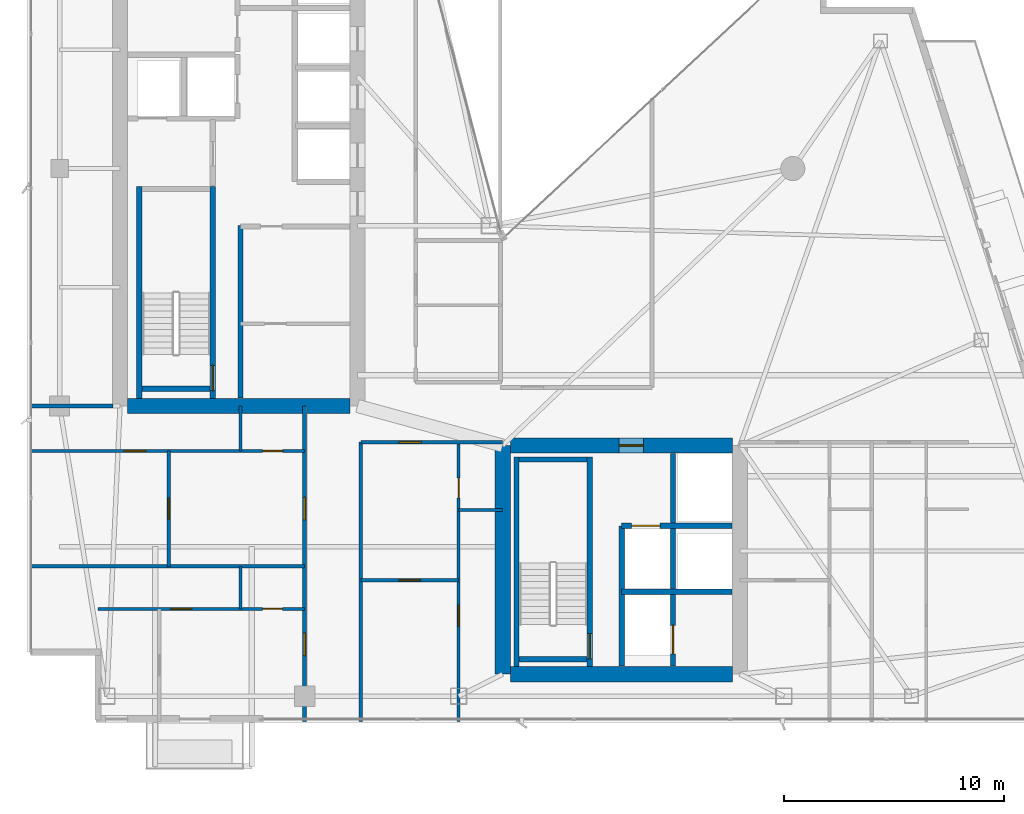
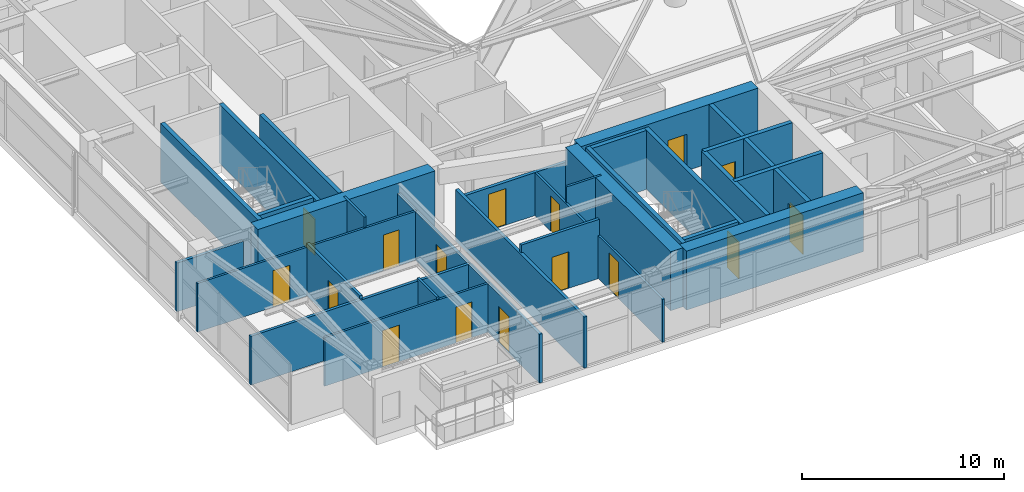
# One storey, part 22 of 28: 29 walls, 16 doors, 16 openings.
"""IFC4 building model written with IfcOpenShell, lengths in metres."""

from ifc_helpers import new_model, si_unit, direction, frame, frame_2d, origin, place, context, subcontext, project, spatial, rectangle, extrude, material, layer, layer_set, type_object, element, fill, save


model = new_model("IFC4")

# Units and contexts
model_context = context("Model", 3, precision=1e-05, world=origin(), true_north=direction((0.0, 1.0)))
body_context = subcontext(model_context, "Body", "Model", "MODEL_VIEW")
ifc_project = project(units=[si_unit("LENGTHUNIT", "METRE"), si_unit("AREAUNIT", "SQUARE_METRE"), si_unit("VOLUMEUNIT", "CUBIC_METRE"), si_unit("PLANEANGLEUNIT", "RADIAN"), si_unit("MASSUNIT", "GRAM", prefix="KILO")], contexts=[model_context])

# Site, building, storey
site_placement = place(None, origin())
site = spatial("IfcSite", under=ifc_project, at=site_placement, CompositionType="ELEMENT")
building_placement = place(site_placement, origin())
building = spatial("IfcBuilding", under=site, at=building_placement, Name="Calvorn Quay Hotel", CompositionType="ELEMENT")
storey_placement = place(building_placement, frame((0.0, 0.0, 219.300048828125)))
storey = spatial("IfcBuildingStorey", under=building, at=storey_placement, Name="L54", CompositionType="ELEMENT", Elevation=219.300048828125)

# Walls
ifc_material_1 = material(Name="Concrete C45", Category="concrete")
ifc_layer_1 = layer(ifc_material_1, 0.699951171875)
ifc_layer_set_1 = layer_set([ifc_layer_1], Name="WL-CORE-700")
wall_type_1 = type_object("IfcWallType", Name="WL-CORE-700", PredefinedType="SHEAR", material=ifc_layer_set_1)
wall_1_placement = place(storey_placement, frame((4.550048828125, 16.800048828125, 0.0), z_axis=(0.0, 0.0, 1.0), x_axis=(1.0, 0.0, 0.0)))
element("IfcWall", 1, at=wall_1_placement, inside=storey, type_object=wall_type_1, Name="West Core Shear Wall S (L54)", PredefinedType="SHEAR", context=body_context, shape_type="SweptSolid", body=[
    extrude(rectangle(XDim=10.099853515625, YDim=0.699951171875, at=frame_2d((5.0498046875, 0.0))), origin(), (0.0, 0.0, 1.0), 3.56005859375),
])
wall_2_placement = place(storey_placement, frame((21.60009765625, 4.60009765625, 0.0), z_axis=(0.0, 0.0, 1.0), x_axis=(0.0, 1.0, 0.0)))
element("IfcWall", 2, at=wall_2_placement, inside=storey, type_object=wall_type_1, Name="East Core Shear Wall W (L54)", PredefinedType="SHEAR", context=body_context, shape_type="SweptSolid", body=[
    extrude(rectangle(XDim=10.39990234375, YDim=0.699951171875, at=frame_2d((5.199951171875, 0.0))), origin(), (0.0, 0.0, 1.0), 3.56005859375),
])

# Wall, opening, door
wall_3_placement = place(storey_placement, frame((21.949951171875, 15.0, 0.0), z_axis=(0.0, 0.0, 1.0), x_axis=(1.0, 0.0, 0.0)))
wall_3 = element("IfcWall", 3, at=wall_3_placement, inside=storey, type_object=wall_type_1, Name="East Core Shear Wall N (L54)", PredefinedType="SHEAR", context=body_context, shape_type="SweptSolid", body=[
    extrude(rectangle(XDim=10.10009765625, YDim=0.699951171875, at=frame_2d((5.050048828125, 0.0))), origin(), (0.0, 0.0, 1.0), 3.56005859375),
])
opening_1_placement = place(wall_3_placement, frame((4.949951171875, 0.0, 0.0)))
opening_1 = element("IfcOpeningElement", 4, at=opening_1_placement, cuts=wall_3, Name="Opening D-L54-FLE", PredefinedType="OPENING", context=body_context, shape_type="SweptSolid", body=[
    extrude(rectangle(XDim=1.10009765625, YDim=2.199951171875, at=frame_2d((0.550048828125, 1.10009765625))), frame((0.0, 0.35986328125, 0.0), z_axis=(0.0, -1.0, 0.0), x_axis=(1.0, 0.0, 0.0)), (0.0, 0.0, 1.0), 0.719970703125),
])
ifc_material_2 = material(Name="Smoke-Sealed Steel Class A Fire Door", Category="steel")
door_type_1 = type_object("IfcDoorType", Name="DR-FFLOBBY-1100", OperationType="NOTDEFINED", PredefinedType="DOOR", material=ifc_material_2)
door_1_placement = place(opening_1_placement, origin())
door_1 = element("IfcDoor", 5, at=door_1_placement, inside=storey, type_object=door_type_1, Name="East Firefighting Lobby Fire Door (L54)", OperationType="SINGLE_SWING_RIGHT", OverallHeight=2.199951171875, OverallWidth=1.10009765625, PredefinedType="DOOR", context=body_context, shape_type="SweptSolid", body=[
    extrude(rectangle(XDim=1.10009765625, YDim=2.199951171875, at=frame_2d((0.550048828125, 1.10009765625))), frame((0.0, 0.02490234375, 0.0), z_axis=(0.0, -1.0, 0.0), x_axis=(1.0, 0.0, 0.0)), (0.0, 0.0, 1.0), 0.050048828125),
])
fill(opening_1, door_1)

# Walls
wall_4_placement = place(storey_placement, frame((21.949951171875, 4.60009765625, 0.0), z_axis=(0.0, 0.0, 1.0), x_axis=(1.0, 0.0, 0.0)))
element("IfcWall", 6, at=wall_4_placement, inside=storey, type_object=wall_type_1, Name="East Core Shear Wall S (L54)", PredefinedType="SHEAR", context=body_context, shape_type="SweptSolid", body=[
    extrude(rectangle(XDim=10.10009765625, YDim=0.699951171875, at=frame_2d((5.050048828125, 0.0))), origin(), (0.0, 0.0, 1.0), 3.56005859375),
])
ifc_material_3 = material(Name="Acoustic Fireboard Steel-Stud Partition", Category="steel")
ifc_layer_2 = layer(ifc_material_3, 0.179931640625)
ifc_layer_set_2 = layer_set([ifc_layer_2], Name="WL-CORR-FIRE-180")
wall_type_2 = type_object("IfcWallType", Name="WL-CORR-FIRE-180", PredefinedType="PARTITIONING", material=ifc_layer_set_2)
wall_5_placement = place(storey_placement, frame((0.080078125, 16.800048828125, 0.0), z_axis=(0.0, 0.0, 1.0), x_axis=(1.0, 0.0, 0.0)))
element("IfcWall", 7, at=wall_5_placement, inside=storey, type_object=wall_type_2, Name="Partition Wall L54-WL-WBAY-S-WALL", PredefinedType="PARTITIONING", context=body_context, shape_type="SweptSolid", body=[
    extrude(rectangle(XDim=3.7998046875, YDim=0.179931640625, at=frame_2d((1.89990234375, 0.0))), origin(), (0.0, 0.0, 1.0), 2.93994140625),
])

# Wall, openings, doors
wall_6_placement = place(storey_placement, frame((12.60009765625, 2.43994140625, 0.0), z_axis=(0.0, 0.0, 1.0), x_axis=(0.0, 1.0, 0.0)))
wall_6 = element("IfcWall", 8, at=wall_6_placement, inside=storey, type_object=wall_type_2, Name="Partition Wall L54-WL-CORR-SW-LEG-W", PredefinedType="PARTITIONING", context=body_context, shape_type="SweptSolid", body=[
    extrude(rectangle(XDim=14.360107421875, YDim=0.179931640625, at=frame_2d((7.18017578125, 0.0))), origin(), (0.0, 0.0, 1.0), 2.93994140625),
])
opening_2_placement = place(wall_6_placement, frame((3.010009765625, 0.0, 0.0)))
opening_2 = element("IfcOpeningElement", 9, at=opening_2_placement, cuts=wall_6, Name="Opening D-L54-U01", PredefinedType="OPENING", context=body_context, shape_type="SweptSolid", body=[
    extrude(rectangle(XDim=1.02001953125, YDim=2.199951171875, at=frame_2d((0.510009765625, 1.10009765625))), frame((0.0, 0.099853515625, 0.0), z_axis=(0.0, -1.0, 0.0), x_axis=(1.0, 0.0, 0.0)), (0.0, 0.0, 1.0), 0.199951171875),
])
opening_3_placement = place(wall_6_placement, frame((9.179931640625, 0.0, 0.0)))
opening_3 = element("IfcOpeningElement", 10, at=opening_3_placement, cuts=wall_6, Name="Opening D-L54-U02", PredefinedType="OPENING", context=body_context, shape_type="SweptSolid", body=[
    extrude(rectangle(XDim=1.02001953125, YDim=2.199951171875, at=frame_2d((0.510009765625, 1.10009765625))), frame((0.0, 0.099853515625, 0.0), z_axis=(0.0, -1.0, 0.0), x_axis=(1.0, 0.0, 0.0)), (0.0, 0.0, 1.0), 0.199951171875),
])
ifc_material_4 = material(Name="Solid-Core Walnut Veneer Hotel Fire Door")
door_type_2 = type_object("IfcDoorType", Name="DR-GUEST-ENTRY-1020", OperationType="NOTDEFINED", PredefinedType="DOOR", material=ifc_material_4)
door_2_placement = place(opening_2_placement, origin())
door_2 = element("IfcDoor", 11, at=door_2_placement, inside=storey, type_object=door_type_2, Name="South-West Unit Door U01 (L54)", OperationType="SINGLE_SWING_LEFT", OverallHeight=2.199951171875, OverallWidth=1.02001953125, PredefinedType="DOOR", context=body_context, shape_type="SweptSolid", body=[
    extrude(rectangle(XDim=1.02001953125, YDim=2.199951171875, at=frame_2d((0.510009765625, 1.10009765625))), frame((0.0, 0.02490234375, 0.0), z_axis=(0.0, -1.0, 0.0), x_axis=(1.0, 0.0, 0.0)), (0.0, 0.0, 1.0), 0.050048828125),
])
fill(opening_2, door_2)
door_3_placement = place(opening_3_placement, origin())
door_3 = element("IfcDoor", 12, at=door_3_placement, inside=storey, type_object=door_type_2, Name="South-West Unit Door U02 (L54)", OperationType="SINGLE_SWING_RIGHT", OverallHeight=2.199951171875, OverallWidth=1.02001953125, PredefinedType="DOOR", context=body_context, shape_type="SweptSolid", body=[
    extrude(rectangle(XDim=1.02001953125, YDim=2.199951171875, at=frame_2d((0.510009765625, 1.10009765625))), frame((0.0, 0.02490234375, 0.0), z_axis=(0.0, -1.0, 0.0), x_axis=(1.0, 0.0, 0.0)), (0.0, 0.0, 1.0), 0.050048828125),
])
fill(opening_3, door_3)

# Wall
wall_7_placement = place(storey_placement, frame((15.14990234375, 2.43994140625, 0.0), z_axis=(0.0, 0.0, 1.0), x_axis=(0.0, 1.0, 0.0)))
element("IfcWall", 13, at=wall_7_placement, inside=storey, type_object=wall_type_2, Name="Partition Wall L54-WL-CORR-SW-W", PredefinedType="PARTITIONING", context=body_context, shape_type="SweptSolid", body=[
    extrude(rectangle(XDim=12.7099609375, YDim=0.179931640625, at=frame_2d((6.35498046875, 0.0))), origin(), (0.0, 0.0, 1.0), 3.08984375),
])

# Wall, opening, door
wall_8_placement = place(storey_placement, frame((15.14990234375, 15.14990234375, 0.0), z_axis=(0.0, 0.0, 1.0), x_axis=(1.0, 0.0, 0.0)))
wall_8 = element("IfcWall", 14, at=wall_8_placement, inside=storey, type_object=wall_type_2, Name="Partition Wall L54-WL-SC-CORR-S", PredefinedType="PARTITIONING", context=body_context, shape_type="SweptSolid", body=[
    extrude(rectangle(XDim=6.4501953125, YDim=0.179931640625, at=frame_2d((3.22509765625, 0.0))), origin(), (0.0, 0.0, 1.0), 2.58984375),
])
opening_4_placement = place(wall_8_placement, frame((1.739990234375, 0.0, 0.0)))
opening_4 = element("IfcOpeningElement", 15, at=opening_4_placement, cuts=wall_8, Name="Opening D-L54-U03", PredefinedType="OPENING", context=body_context, shape_type="SweptSolid", body=[
    extrude(rectangle(XDim=1.02001953125, YDim=2.199951171875, at=frame_2d((0.510009765625, 1.10009765625))), frame((0.0, 0.099853515625, 0.0), z_axis=(0.0, -1.0, 0.0), x_axis=(1.0, 0.0, 0.0)), (0.0, 0.0, 1.0), 0.199951171875),
])
door_4_placement = place(opening_4_placement, origin())
door_4 = element("IfcDoor", 16, at=door_4_placement, inside=storey, type_object=door_type_2, Name="Harbour Central Unit Door (L54)", OperationType="SINGLE_SWING_LEFT", OverallHeight=2.199951171875, OverallWidth=1.02001953125, PredefinedType="DOOR", context=body_context, shape_type="SweptSolid", body=[
    extrude(rectangle(XDim=1.02001953125, YDim=2.199951171875, at=frame_2d((0.510009765625, 1.10009765625))), frame((0.0, 0.02490234375, 0.0), z_axis=(0.0, -1.0, 0.0), x_axis=(1.0, 0.0, 0.0)), (0.0, 0.0, 1.0), 0.050048828125),
])
fill(opening_4, door_4)

# Wall
ifc_material_5 = material(Name="Moisture-Resistant Tile-Backed Partition")
ifc_layer_3 = layer(ifc_material_5, 0.125)
ifc_layer_set_3 = layer_set([ifc_layer_3], Name="WL-ENSUITE-125")
wall_type_3 = type_object("IfcWallType", Name="WL-ENSUITE-125", PredefinedType="PARTITIONING", material=ifc_layer_set_3)
wall_9_placement = place(storey_placement, frame((9.679931640625, 7.570068359375, 0.0), z_axis=(0.0, 0.0, 1.0), x_axis=(0.0, 1.0, 0.0)))
element("IfcWall", 17, at=wall_9_placement, inside=storey, type_object=wall_type_3, Name="Partition Wall L54-WL-U01-BDV", PredefinedType="PARTITIONING", context=body_context, shape_type="SweptSolid", body=[
    extrude(rectangle(XDim=1.929931640625, YDim=0.125, at=frame_2d((0.96484375, 0.0))), origin(), (0.0, 0.0, 1.0), 3.08984375),
])

# Wall, openings, doors
wall_10_placement = place(storey_placement, frame((3.199951171875, 7.570068359375, 0.0), z_axis=(0.0, 0.0, 1.0), x_axis=(1.0, 0.0, 0.0)))
wall_10 = element("IfcWall", 18, at=wall_10_placement, inside=storey, type_object=wall_type_3, Name="Partition Wall L54-WL-U01-BH", PredefinedType="PARTITIONING", context=body_context, shape_type="SweptSolid", body=[
    extrude(rectangle(XDim=9.400146484375, YDim=0.125, at=frame_2d((4.7001953125, 0.0))), origin(), (0.0, 0.0, 1.0), 2.93994140625),
])
opening_5_placement = place(wall_10_placement, frame((3.300048828125, 0.0, 0.0)))
opening_5 = element("IfcOpeningElement", 19, at=opening_5_placement, cuts=wall_10, Name="Opening D-L54-S01", PredefinedType="OPENING", context=body_context, shape_type="SweptSolid", body=[
    extrude(rectangle(XDim=0.9599609375, YDim=2.199951171875, at=frame_2d((0.47998046875, 1.10009765625))), frame((0.0, 0.072509765625, 0.0), z_axis=(0.0, -1.0, 0.0), x_axis=(1.0, 0.0, 0.0)), (0.0, 0.0, 1.0), 0.14501953125),
])
opening_6_placement = place(wall_10_placement, frame((7.489990234375, 0.0, 0.0)))
opening_6 = element("IfcOpeningElement", 20, at=opening_6_placement, cuts=wall_10, Name="Opening D-L54-E01", PredefinedType="OPENING", context=body_context, shape_type="SweptSolid", body=[
    extrude(rectangle(XDim=0.89990234375, YDim=2.14990234375, at=frame_2d((0.449951171875, 1.074951171875))), frame((0.0, 0.072509765625, 0.0), z_axis=(0.0, -1.0, 0.0), x_axis=(1.0, 0.0, 0.0)), (0.0, 0.0, 1.0), 0.14501953125),
])
ifc_material_6 = material(Name="Moisture-Sealed Timber En-Suite Door", Category="wood")
door_type_3 = type_object("IfcDoorType", Name="DR-ENSUITE-900", OperationType="NOTDEFINED", PredefinedType="DOOR", material=ifc_material_6)
door_5_placement = place(opening_6_placement, origin())
door_5 = element("IfcDoor", 21, at=door_5_placement, inside=storey, type_object=door_type_3, Name="En-Suite Door 01", OperationType="SINGLE_SWING_RIGHT", OverallHeight=2.14990234375, OverallWidth=0.89990234375, PredefinedType="DOOR", context=body_context, shape_type="SweptSolid", body=[
    extrude(rectangle(XDim=0.89990234375, YDim=2.14990234375, at=frame_2d((0.449951171875, 1.074951171875))), frame((0.0, 0.02490234375, 0.0), z_axis=(0.0, -1.0, 0.0), x_axis=(1.0, 0.0, 0.0)), (0.0, 0.0, 1.0), 0.050048828125),
])
fill(opening_6, door_5)
ifc_material_7 = material(Name="Solid Timber Internal Suite Door", Category="wood")
door_type_4 = type_object("IfcDoorType", Name="DR-SUITE-INT-960", OperationType="NOTDEFINED", PredefinedType="DOOR", material=ifc_material_7)
door_6_placement = place(opening_5_placement, origin())
door_6 = element("IfcDoor", 22, at=door_6_placement, inside=storey, type_object=door_type_4, Name="Executive Work Office Door 01", OperationType="SINGLE_SWING_LEFT", OverallHeight=2.199951171875, OverallWidth=0.9599609375, PredefinedType="DOOR", context=body_context, shape_type="SweptSolid", body=[
    extrude(rectangle(XDim=0.9599609375, YDim=2.199951171875, at=frame_2d((0.47998046875, 1.10009765625))), frame((0.0, 0.02490234375, 0.0), z_axis=(0.0, -1.0, 0.0), x_axis=(1.0, 0.0, 0.0)), (0.0, 0.0, 1.0), 0.050048828125),
])
fill(opening_5, door_6)

# Wall
wall_11_placement = place(storey_placement, frame((9.679931640625, 14.75, 0.0), z_axis=(0.0, 0.0, 1.0), x_axis=(0.0, 1.0, 0.0)))
element("IfcWall", 23, at=wall_11_placement, inside=storey, type_object=wall_type_3, Name="Partition Wall L54-WL-U02-BDV", PredefinedType="PARTITIONING", context=body_context, shape_type="SweptSolid", body=[
    extrude(rectangle(XDim=2.050048828125, YDim=0.125, at=frame_2d((1.02490234375, 0.0))), origin(), (0.0, 0.0, 1.0), 3.56005859375),
])

# Wall, openings, doors
wall_12_placement = place(storey_placement, frame((0.080078125, 14.75, 0.0), z_axis=(0.0, 0.0, 1.0), x_axis=(1.0, 0.0, 0.0)))
wall_12 = element("IfcWall", 24, at=wall_12_placement, inside=storey, type_object=wall_type_3, Name="Partition Wall L54-WL-U02-BH", PredefinedType="PARTITIONING", context=body_context, shape_type="SweptSolid", body=[
    extrude(rectangle(XDim=12.52001953125, YDim=0.125, at=frame_2d((6.260009765625, 0.0))), origin(), (0.0, 0.0, 1.0), 2.93994140625),
])
opening_7_placement = place(wall_12_placement, frame((4.320068359375, 0.0, 0.0)))
opening_7 = element("IfcOpeningElement", 25, at=opening_7_placement, cuts=wall_12, Name="Opening D-L54-S02", PredefinedType="OPENING", context=body_context, shape_type="SweptSolid", body=[
    extrude(rectangle(XDim=0.9599609375, YDim=2.199951171875, at=frame_2d((0.47998046875, 1.10009765625))), frame((0.0, 0.072509765625, 0.0), z_axis=(0.0, -1.0, 0.0), x_axis=(1.0, 0.0, 0.0)), (0.0, 0.0, 1.0), 0.14501953125),
])
opening_8_placement = place(wall_12_placement, frame((10.610107421875, 0.0, 0.0)))
opening_8 = element("IfcOpeningElement", 26, at=opening_8_placement, cuts=wall_12, Name="Opening D-L54-E02", PredefinedType="OPENING", context=body_context, shape_type="SweptSolid", body=[
    extrude(rectangle(XDim=0.89990234375, YDim=2.14990234375, at=frame_2d((0.449951171875, 1.074951171875))), frame((0.0, 0.072509765625, 0.0), z_axis=(0.0, -1.0, 0.0), x_axis=(1.0, 0.0, 0.0)), (0.0, 0.0, 1.0), 0.14501953125),
])
door_7_placement = place(opening_8_placement, origin())
door_7 = element("IfcDoor", 27, at=door_7_placement, inside=storey, type_object=door_type_3, Name="En-Suite Door 02", OperationType="SINGLE_SWING_RIGHT", OverallHeight=2.14990234375, OverallWidth=0.89990234375, PredefinedType="DOOR", context=body_context, shape_type="SweptSolid", body=[
    extrude(rectangle(XDim=0.89990234375, YDim=2.14990234375, at=frame_2d((0.449951171875, 1.074951171875))), frame((0.0, 0.02490234375, 0.0), z_axis=(0.0, -1.0, 0.0), x_axis=(1.0, 0.0, 0.0)), (0.0, 0.0, 1.0), 0.050048828125),
])
fill(opening_8, door_7)
door_8_placement = place(opening_7_placement, origin())
door_8 = element("IfcDoor", 28, at=door_8_placement, inside=storey, type_object=door_type_4, Name="Executive Work Office Door 02", OperationType="SINGLE_SWING_LEFT", OverallHeight=2.199951171875, OverallWidth=0.9599609375, PredefinedType="DOOR", context=body_context, shape_type="SweptSolid", body=[
    extrude(rectangle(XDim=0.9599609375, YDim=2.199951171875, at=frame_2d((0.47998046875, 1.10009765625))), frame((0.0, 0.02490234375, 0.0), z_axis=(0.0, -1.0, 0.0), x_axis=(1.0, 0.0, 0.0)), (0.0, 0.0, 1.0), 0.050048828125),
])
fill(opening_7, door_8)

# Wall
wall_13_placement = place(storey_placement, frame((19.60009765625, 12.070068359375, 0.0), z_axis=(0.0, 0.0, 1.0), x_axis=(1.0, 0.0, 0.0)))
element("IfcWall", 29, at=wall_13_placement, inside=storey, type_object=wall_type_3, Name="Partition Wall L54-WL-U03-BDV", PredefinedType="PARTITIONING", context=body_context, shape_type="SweptSolid", body=[
    extrude(rectangle(XDim=2.0, YDim=0.125, at=frame_2d((1.0, 0.0))), origin(), (0.0, 0.0, 1.0), 3.56005859375),
])

# Wall, openings, doors
wall_14_placement = place(storey_placement, frame((19.60009765625, 2.43994140625, 0.0), z_axis=(0.0, 0.0, 1.0), x_axis=(0.0, 1.0, 0.0)))
wall_14 = element("IfcWall", 30, at=wall_14_placement, inside=storey, type_object=wall_type_3, Name="Partition Wall L54-WL-U03-BV", PredefinedType="PARTITIONING", context=body_context, shape_type="SweptSolid", body=[
    extrude(rectangle(XDim=12.7099609375, YDim=0.125, at=frame_2d((6.35498046875, 0.0))), origin(), (0.0, 0.0, 1.0), 2.58984375),
])
opening_9_placement = place(wall_14_placement, frame((4.340087890625, 0.0, 0.0)))
opening_9 = element("IfcOpeningElement", 31, at=opening_9_placement, cuts=wall_14, Name="Opening D-L54-S03", PredefinedType="OPENING", context=body_context, shape_type="SweptSolid", body=[
    extrude(rectangle(XDim=0.9599609375, YDim=2.199951171875, at=frame_2d((0.47998046875, 1.10009765625))), frame((0.0, 0.072509765625, 0.0), z_axis=(0.0, -1.0, 0.0), x_axis=(1.0, 0.0, 0.0)), (0.0, 0.0, 1.0), 0.14501953125),
])
opening_10_placement = place(wall_14_placement, frame((10.179931640625, 0.0, 0.0)))
opening_10 = element("IfcOpeningElement", 32, at=opening_10_placement, cuts=wall_14, Name="Opening D-L54-E03", PredefinedType="OPENING", context=body_context, shape_type="SweptSolid", body=[
    extrude(rectangle(XDim=0.89990234375, YDim=2.14990234375, at=frame_2d((0.449951171875, 1.074951171875))), frame((0.0, 0.072509765625, 0.0), z_axis=(0.0, -1.0, 0.0), x_axis=(1.0, 0.0, 0.0)), (0.0, 0.0, 1.0), 0.14501953125),
])
door_9_placement = place(opening_10_placement, origin())
door_9 = element("IfcDoor", 33, at=door_9_placement, inside=storey, type_object=door_type_3, Name="En-Suite Door 03", OperationType="SINGLE_SWING_RIGHT", OverallHeight=2.14990234375, OverallWidth=0.89990234375, PredefinedType="DOOR", context=body_context, shape_type="SweptSolid", body=[
    extrude(rectangle(XDim=0.89990234375, YDim=2.14990234375, at=frame_2d((0.449951171875, 1.074951171875))), frame((0.0, 0.02490234375, 0.0), z_axis=(0.0, -1.0, 0.0), x_axis=(1.0, 0.0, 0.0)), (0.0, 0.0, 1.0), 0.050048828125),
])
fill(opening_10, door_9)
door_10_placement = place(opening_9_placement, origin())
door_10 = element("IfcDoor", 34, at=door_10_placement, inside=storey, type_object=door_type_4, Name="Executive Work Office Door 03", OperationType="SINGLE_SWING_LEFT", OverallHeight=2.199951171875, OverallWidth=0.9599609375, PredefinedType="DOOR", context=body_context, shape_type="SweptSolid", body=[
    extrude(rectangle(XDim=0.9599609375, YDim=2.199951171875, at=frame_2d((0.47998046875, 1.10009765625))), frame((0.0, 0.02490234375, 0.0), z_axis=(0.0, -1.0, 0.0), x_axis=(1.0, 0.0, 0.0)), (0.0, 0.0, 1.0), 0.050048828125),
])
fill(opening_9, door_10)

# Wall, opening, door
ifc_material_8 = material(Name="Double-Stud Acoustic Gypsum Partition")
ifc_layer_4 = layer(ifc_material_8, 0.159912109375)
ifc_layer_set_4 = layer_set([ifc_layer_4], Name="WL-INTERSUITE-160")
wall_type_4 = type_object("IfcWallType", Name="WL-INTERSUITE-160", PredefinedType="PARTITIONING", material=ifc_layer_set_4)
wall_15_placement = place(storey_placement, frame((6.419921875, 9.5, 0.0), z_axis=(0.0, 0.0, 1.0), x_axis=(0.0, 1.0, 0.0)))
wall_15 = element("IfcWall", 35, at=wall_15_placement, inside=storey, type_object=wall_type_4, Name="Partition Wall L54-WL-U02-MSP", PredefinedType="PARTITIONING", context=body_context, shape_type="SweptSolid", body=[
    extrude(rectangle(XDim=5.25, YDim=0.159912109375, at=frame_2d((2.625, 0.0))), origin(), (0.0, 0.0, 1.0), 3.139892578125),
])
opening_11_placement = place(wall_15_placement, frame((2.14990234375, 0.0, 0.0)))
opening_11 = element("IfcOpeningElement", 36, at=opening_11_placement, cuts=wall_15, Name="Opening D-L54-M02", PredefinedType="OPENING", context=body_context, shape_type="SweptSolid", body=[
    extrude(rectangle(XDim=0.9599609375, YDim=2.199951171875, at=frame_2d((0.47998046875, 1.10009765625))), frame((0.0, 0.08984375, 0.0), z_axis=(0.0, -1.0, 0.0), x_axis=(1.0, 0.0, 0.0)), (0.0, 0.0, 1.0), 0.179931640625),
])
door_11_placement = place(opening_11_placement, origin())
door_11 = element("IfcDoor", 37, at=door_11_placement, inside=storey, type_object=door_type_4, Name="Suite Bedroom Door 02", OperationType="SINGLE_SWING_LEFT", OverallHeight=2.199951171875, OverallWidth=0.9599609375, PredefinedType="DOOR", context=body_context, shape_type="SweptSolid", body=[
    extrude(rectangle(XDim=0.9599609375, YDim=2.199951171875, at=frame_2d((0.47998046875, 1.10009765625))), frame((0.0, 0.02490234375, 0.0), z_axis=(0.0, -1.0, 0.0), x_axis=(1.0, 0.0, 0.0)), (0.0, 0.0, 1.0), 0.050048828125),
])
fill(opening_11, door_11)

# Wall
wall_16_placement = place(storey_placement, frame((0.080078125, 9.5, 0.0), z_axis=(0.0, 0.0, 1.0), x_axis=(1.0, 0.0, 0.0)))
element("IfcWall", 38, at=wall_16_placement, inside=storey, type_object=wall_type_4, Name="Partition Wall L54-WL-SW-DIV-1", PredefinedType="PARTITIONING", context=body_context, shape_type="SweptSolid", body=[
    extrude(rectangle(XDim=12.52001953125, YDim=0.159912109375, at=frame_2d((6.260009765625, 0.0))), origin(), (0.0, 0.0, 1.0), 2.93994140625),
])

# Wall, opening, door
wall_17_placement = place(storey_placement, frame((15.14990234375, 8.8701171875, 0.0), z_axis=(0.0, 0.0, 1.0), x_axis=(1.0, 0.0, 0.0)))
wall_17 = element("IfcWall", 39, at=wall_17_placement, inside=storey, type_object=wall_type_4, Name="Partition Wall L54-WL-U03-MSP", PredefinedType="PARTITIONING", context=body_context, shape_type="SweptSolid", body=[
    extrude(rectangle(XDim=4.4501953125, YDim=0.159912109375, at=frame_2d((2.22509765625, 0.0))), origin(), (0.0, 0.0, 1.0), 3.56005859375),
])
opening_12_placement = place(wall_17_placement, frame((1.75, 0.0, 0.0)))
opening_12 = element("IfcOpeningElement", 40, at=opening_12_placement, cuts=wall_17, Name="Opening D-L54-M03", PredefinedType="OPENING", context=body_context, shape_type="SweptSolid", body=[
    extrude(rectangle(XDim=0.9599609375, YDim=2.199951171875, at=frame_2d((0.47998046875, 1.10009765625))), frame((0.0, 0.08984375, 0.0), z_axis=(0.0, -1.0, 0.0), x_axis=(1.0, 0.0, 0.0)), (0.0, 0.0, 1.0), 0.179931640625),
])
door_12_placement = place(opening_12_placement, origin())
door_12 = element("IfcDoor", 41, at=door_12_placement, inside=storey, type_object=door_type_4, Name="Suite Bedroom Door 03", OperationType="SINGLE_SWING_LEFT", OverallHeight=2.199951171875, OverallWidth=0.9599609375, PredefinedType="DOOR", context=body_context, shape_type="SweptSolid", body=[
    extrude(rectangle(XDim=0.9599609375, YDim=2.199951171875, at=frame_2d((0.47998046875, 1.10009765625))), frame((0.0, 0.02490234375, 0.0), z_axis=(0.0, -1.0, 0.0), x_axis=(1.0, 0.0, 0.0)), (0.0, 0.0, 1.0), 0.050048828125),
])
fill(opening_12, door_12)

# Walls
ifc_material_9 = material(Name="Autoclaved Aerated Masonry Block", Category="masonry")
ifc_layer_5 = layer(ifc_material_9, 0.219970703125)
ifc_layer_set_5 = layer_set([ifc_layer_5], Name="WL-LOBBY-FIRE-220")
wall_type_5 = type_object("IfcWallType", Name="WL-LOBBY-FIRE-220", PredefinedType="SOLIDWALL", material=ifc_layer_set_5)
wall_18_placement = place(storey_placement, frame((9.679931640625, 17.169921875, 0.0), z_axis=(0.0, 0.0, 1.0), x_axis=(0.0, 1.0, 0.0)))
element("IfcWall", 42, at=wall_18_placement, inside=storey, type_object=wall_type_5, Name="Partition Wall L54-WL-CWW-STW-HALL-E", PredefinedType="SOLIDWALL", context=body_context, shape_type="SweptSolid", body=[
    extrude(rectangle(XDim=7.830078125, YDim=0.219970703125, at=frame_2d((3.9150390625, 0.0))), origin(), (0.0, 0.0, 1.0), 3.56005859375),
])
ifc_material_10 = material(Name="Concrete C40", Category="concrete")
ifc_layer_6 = layer(ifc_material_10, 0.239990234375)
ifc_layer_set_6 = layer_set([ifc_layer_6], Name="WL-SHAFT-240")
wall_type_6 = type_object("IfcWallType", Name="WL-SHAFT-240", PredefinedType="SOLIDWALL", material=ifc_layer_set_6)
wall_19_placement = place(storey_placement, frame((5.080078125, 17.14990234375, 0.0), z_axis=(0.0, 0.0, 1.0), x_axis=(0.0, 1.0, 0.0)))
element("IfcWall", 43, at=wall_19_placement, inside=storey, type_object=wall_type_6, Name="Stair STW Shaft Wall W (L54)", PredefinedType="SOLIDWALL", context=body_context, shape_type="SweptSolid", body=[
    extrude(rectangle(XDim=9.64013671875, YDim=0.239990234375, at=frame_2d((4.820068359375, 0.0))), origin(), (0.0, 0.0, 1.0), 3.56005859375),
])

# Wall, opening, door
wall_20_placement = place(storey_placement, frame((8.419921875, 17.14990234375, 0.0), z_axis=(0.0, 0.0, 1.0), x_axis=(0.0, 1.0, 0.0)))
wall_20 = element("IfcWall", 44, at=wall_20_placement, inside=storey, type_object=wall_type_6, Name="Stair STW Shaft Wall E (L54)", PredefinedType="SOLIDWALL", context=body_context, shape_type="SweptSolid", body=[
    extrude(rectangle(XDim=9.64013671875, YDim=0.239990234375, at=frame_2d((4.820068359375, 0.0))), origin(), (0.0, 0.0, 1.0), 3.56005859375),
])
opening_13_placement = place(wall_20_placement, frame((0.35009765625, 0.0, 0.0)))
opening_13 = element("IfcOpeningElement", 45, at=opening_13_placement, cuts=wall_20, Name="Opening D-L54-STW", PredefinedType="OPENING", context=body_context, shape_type="SweptSolid", body=[
    extrude(rectangle(XDim=1.14990234375, YDim=2.199951171875, at=frame_2d((0.574951171875, 1.10009765625))), frame((0.0, 0.1298828125, 0.0), z_axis=(0.0, -1.0, 0.0), x_axis=(1.0, 0.0, 0.0)), (0.0, 0.0, 1.0), 0.260009765625),
])
ifc_material_11 = material(Name="Galvanised Steel Class A Fire Door", Category="steel")
door_type_5 = type_object("IfcDoorType", Name="DR-STAIR-SMOKE-1150", OperationType="NOTDEFINED", PredefinedType="DOOR", material=ifc_material_11)
door_13_placement = place(opening_13_placement, origin())
door_13 = element("IfcDoor", 46, at=door_13_placement, inside=storey, type_object=door_type_5, Name="Stair ST-W Fire Door (L54)", OperationType="SINGLE_SWING_LEFT", OverallHeight=2.199951171875, OverallWidth=1.14990234375, PredefinedType="DOOR", context=body_context, shape_type="SweptSolid", body=[
    extrude(rectangle(XDim=1.14990234375, YDim=2.199951171875, at=frame_2d((0.574951171875, 1.10009765625))), frame((0.0, 0.02490234375, 0.0), z_axis=(0.0, -1.0, 0.0), x_axis=(1.0, 0.0, 0.0)), (0.0, 0.0, 1.0), 0.050048828125),
])
fill(opening_13, door_13)

# Walls
wall_21_placement = place(storey_placement, frame((5.199951171875, 17.580078125, 0.0), z_axis=(0.0, 0.0, 1.0), x_axis=(1.0, 0.0, 0.0)))
element("IfcWall", 47, at=wall_21_placement, inside=storey, type_object=wall_type_6, Name="Stair STW Shaft Wall S (L54)", PredefinedType="SOLIDWALL", context=body_context, shape_type="SweptSolid", body=[
    extrude(rectangle(XDim=3.10009765625, YDim=0.239990234375, at=frame_2d((1.550048828125, 0.0))), origin(), (0.0, 0.0, 1.0), 3.56005859375),
])
wall_22_placement = place(storey_placement, frame((22.22998046875, 4.949951171875, 0.0), z_axis=(0.0, 0.0, 1.0), x_axis=(0.0, 1.0, 0.0)))
element("IfcWall", 48, at=wall_22_placement, inside=storey, type_object=wall_type_6, Name="Stair STE Shaft Wall W (L54)", PredefinedType="SOLIDWALL", context=body_context, shape_type="SweptSolid", body=[
    extrude(rectangle(XDim=9.5400390625, YDim=0.239990234375, at=frame_2d((4.77001953125, 0.0))), origin(), (0.0, 0.0, 1.0), 3.56005859375),
])

# Wall, opening, door
wall_23_placement = place(storey_placement, frame((25.570068359375, 4.949951171875, 0.0), z_axis=(0.0, 0.0, 1.0), x_axis=(0.0, 1.0, 0.0)))
wall_23 = element("IfcWall", 49, at=wall_23_placement, inside=storey, type_object=wall_type_6, Name="Stair STE Shaft Wall E (L54)", PredefinedType="SOLIDWALL", context=body_context, shape_type="SweptSolid", body=[
    extrude(rectangle(XDim=9.5400390625, YDim=0.239990234375, at=frame_2d((4.77001953125, 0.0))), origin(), (0.0, 0.0, 1.0), 3.56005859375),
])
opening_14_placement = place(wall_23_placement, frame((0.35009765625, 0.0, 0.0)))
opening_14 = element("IfcOpeningElement", 50, at=opening_14_placement, cuts=wall_23, Name="Opening D-L54-STE", PredefinedType="OPENING", context=body_context, shape_type="SweptSolid", body=[
    extrude(rectangle(XDim=1.14990234375, YDim=2.199951171875, at=frame_2d((0.574951171875, 1.10009765625))), frame((0.0, 0.1298828125, 0.0), z_axis=(0.0, -1.0, 0.0), x_axis=(1.0, 0.0, 0.0)), (0.0, 0.0, 1.0), 0.260009765625),
])
door_14_placement = place(opening_14_placement, origin())
door_14 = element("IfcDoor", 51, at=door_14_placement, inside=storey, type_object=door_type_5, Name="Stair ST-E Fire Door (L54)", OperationType="SINGLE_SWING_RIGHT", OverallHeight=2.199951171875, OverallWidth=1.14990234375, PredefinedType="DOOR", context=body_context, shape_type="SweptSolid", body=[
    extrude(rectangle(XDim=1.14990234375, YDim=2.199951171875, at=frame_2d((0.574951171875, 1.10009765625))), frame((0.0, 0.02490234375, 0.0), z_axis=(0.0, -1.0, 0.0), x_axis=(1.0, 0.0, 0.0)), (0.0, 0.0, 1.0), 0.050048828125),
])
fill(opening_14, door_14)

# Walls
for number, where, z_axis, x_axis, name in (
    (52, (22.35009765625, 5.280029296875, 0.0), (0.0, 0.0, 1.0), (1.0, 0.0, 0.0), "Stair STE Shaft Wall S (L54)"),
    (53, (22.35009765625, 14.3701171875, 0.0), (0.0, 0.0, 1.0), (1.0, 0.0, 0.0), "Stair STE Shaft Wall N (L54)"),
):
    element("IfcWall", number, at=place(storey_placement, frame(where, z_axis=z_axis, x_axis=x_axis)), inside=storey, type_object=wall_type_6, Name=name, PredefinedType="SOLIDWALL", context=body_context, shape_type="SweptSolid", body=[
        extrude(rectangle(XDim=3.099853515625, YDim=0.239990234375, at=frame_2d((1.5498046875, 0.0))), origin(), (0.0, 0.0, 1.0), 3.56005859375),
    ])
wall_24_placement = place(storey_placement, frame((27.02001953125, 4.969970703125, 0.0), z_axis=(0.0, 0.0, 1.0), x_axis=(0.0, 1.0, 0.0)))
element("IfcWall", 54, at=wall_24_placement, inside=storey, type_object=wall_type_6, Name="Partition Wall L54-WL-CWE-SH-W", PredefinedType="SOLIDWALL", context=body_context, shape_type="SweptSolid", body=[
    extrude(rectangle(XDim=6.380126953125, YDim=0.239990234375, at=frame_2d((3.18994140625, 0.0))), origin(), (0.0, 0.0, 1.0), 3.56005859375),
])

# Wall, opening, door
wall_25_placement = place(storey_placement, frame((27.02001953125, 11.35009765625, 0.0), z_axis=(0.0, 0.0, 1.0), x_axis=(1.0, 0.0, 0.0)))
wall_25 = element("IfcWall", 55, at=wall_25_placement, inside=storey, type_object=wall_type_6, Name="Partition Wall L54-WL-CWE-FFL-S", PredefinedType="SOLIDWALL", context=body_context, shape_type="SweptSolid", body=[
    extrude(rectangle(XDim=5.010009765625, YDim=0.239990234375, at=frame_2d((2.5048828125, 0.0))), origin(), (0.0, 0.0, 1.0), 3.56005859375),
])
opening_15_placement = place(wall_25_placement, frame((0.449951171875, 0.0, 0.0)))
opening_15 = element("IfcOpeningElement", 56, at=opening_15_placement, cuts=wall_25, Name="Opening LD-L54-FLE1", PredefinedType="OPENING", context=body_context, shape_type="SweptSolid", body=[
    extrude(rectangle(XDim=1.300048828125, YDim=2.35009765625, at=frame_2d((0.64990234375, 1.175048828125))), frame((0.0, 0.1298828125, 0.0), z_axis=(0.0, -1.0, 0.0), x_axis=(1.0, 0.0, 0.0)), (0.0, 0.0, 1.0), 0.260009765625),
])
ifc_material_12 = material(Name="Champagne-Bronze Sliding Express Lift Landing Door")
door_type_6 = type_object("IfcDoorType", Name="DR-LIFT-SHUTTLE-1300", OperationType="NOTDEFINED", PredefinedType="DOOR", material=ifc_material_12)
door_15_placement = place(opening_15_placement, origin())
door_15 = element("IfcDoor", 57, at=door_15_placement, inside=storey, type_object=door_type_6, Name="Firefighting Lift FL-E1 Landing Door (L54)", OperationType="DOUBLE_DOOR_SLIDING", OverallHeight=2.35009765625, OverallWidth=1.300048828125, PredefinedType="DOOR", context=body_context, shape_type="SweptSolid", body=[
    extrude(rectangle(XDim=1.300048828125, YDim=2.35009765625, at=frame_2d((0.64990234375, 1.175048828125))), frame((0.0, 0.02490234375, 0.0), z_axis=(0.0, -1.0, 0.0), x_axis=(1.0, 0.0, 0.0)), (0.0, 0.0, 1.0), 0.050048828125),
])
fill(opening_15, door_15)

# Wall
wall_26_placement = place(storey_placement, frame((27.02001953125, 8.35009765625, 0.0), z_axis=(0.0, 0.0, 1.0), x_axis=(1.0, 0.0, 0.0)))
element("IfcWall", 58, at=wall_26_placement, inside=storey, type_object=wall_type_6, Name="Partition Wall L54-WL-CWE-SL-N", PredefinedType="SOLIDWALL", context=body_context, shape_type="SweptSolid", body=[
    extrude(rectangle(XDim=5.010009765625, YDim=0.239990234375, at=frame_2d((2.5048828125, 0.0))), origin(), (0.0, 0.0, 1.0), 3.56005859375),
])

# Wall, opening, door
wall_27_placement = place(storey_placement, frame((29.35009765625, 4.969970703125, 0.0), z_axis=(0.0, 0.0, 1.0), x_axis=(0.0, 1.0, 0.0)))
wall_27 = element("IfcWall", 59, at=wall_27_placement, inside=storey, type_object=wall_type_6, Name="Partition Wall L54-WL-CWE-OB-W", PredefinedType="SOLIDWALL", context=body_context, shape_type="SweptSolid", body=[
    extrude(rectangle(XDim=9.659912109375, YDim=0.239990234375, at=frame_2d((4.830078125, 0.0))), origin(), (0.0, 0.0, 1.0), 3.56005859375),
])
opening_16_placement = place(wall_27_placement, frame((0.550048828125, 0.0, 0.0)))
opening_16 = element("IfcOpeningElement", 60, at=opening_16_placement, cuts=wall_27, Name="Opening LD-L54-SLEI", PredefinedType="OPENING", context=body_context, shape_type="SweptSolid", body=[
    extrude(rectangle(XDim=1.300048828125, YDim=2.35009765625, at=frame_2d((0.64990234375, 1.175048828125))), frame((0.0, 0.1298828125, 0.0), z_axis=(0.0, -1.0, 0.0), x_axis=(1.0, 0.0, 0.0)), (0.0, 0.0, 1.0), 0.260009765625),
])
door_16_placement = place(opening_16_placement, origin())
door_16 = element("IfcDoor", 61, at=door_16_placement, inside=storey, type_object=door_type_6, Name="Service Lift SL-E1 Landing Door (L54)", OperationType="DOUBLE_DOOR_SLIDING", OverallHeight=2.35009765625, OverallWidth=1.300048828125, PredefinedType="DOOR", context=body_context, shape_type="SweptSolid", body=[
    extrude(rectangle(XDim=1.300048828125, YDim=2.35009765625, at=frame_2d((0.64990234375, 1.175048828125))), frame((0.0, 0.02490234375, 0.0), z_axis=(0.0, -1.0, 0.0), x_axis=(1.0, 0.0, 0.0)), (0.0, 0.0, 1.0), 0.050048828125),
])
fill(opening_16, door_16)

save(model, "model.ifc")
